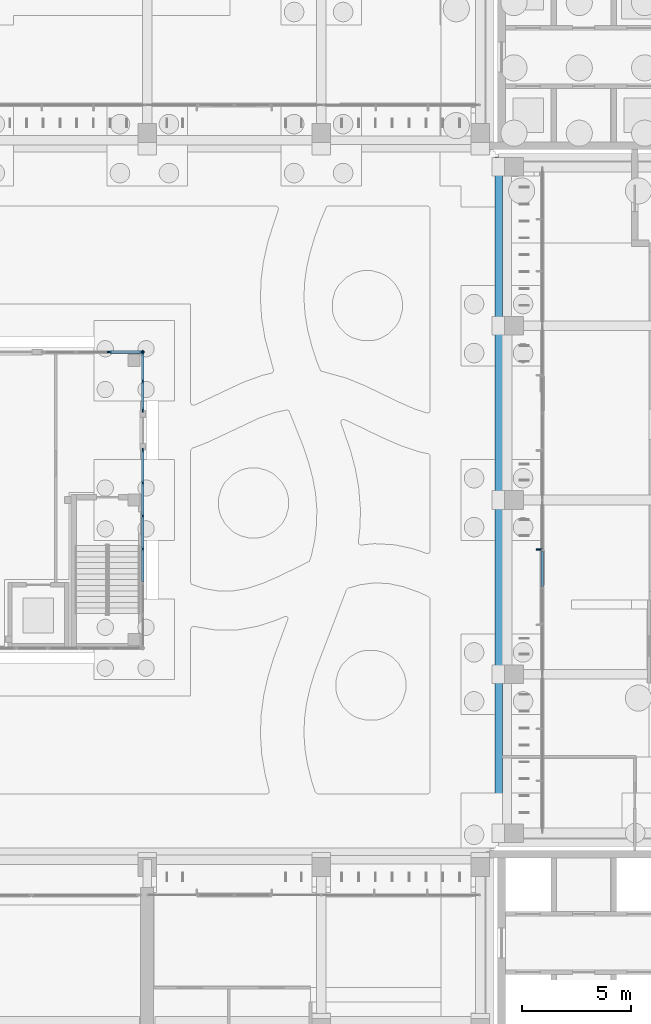
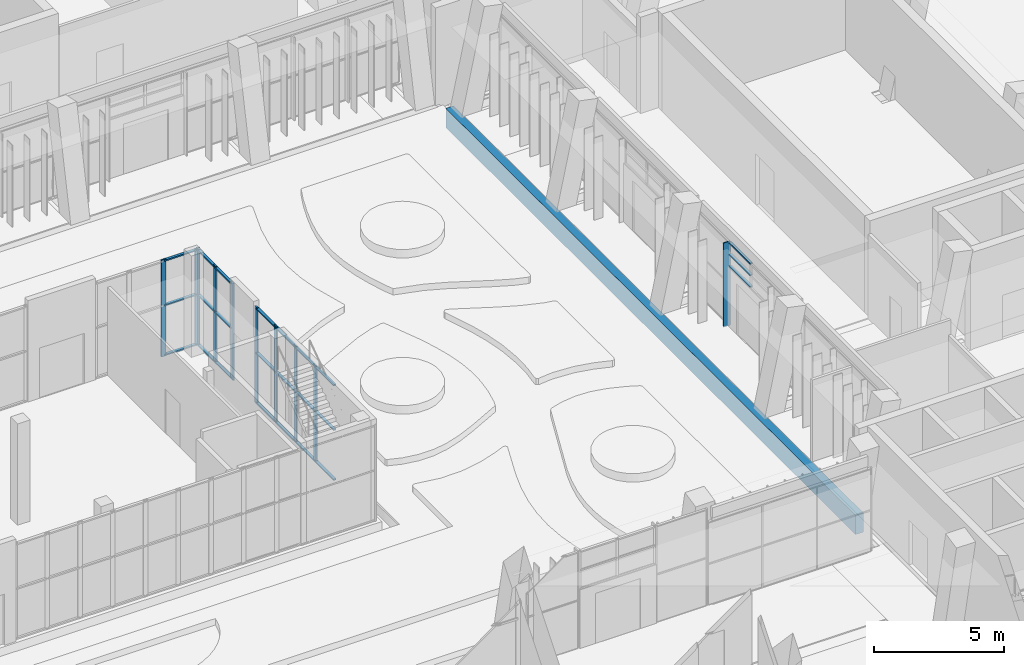
# One storey, part 73 of 144: 34 members, 1 beam, 5 elements without a shape of their own.
"""IFC4 building model written with IfcOpenShell, lengths in metres."""

from ifc_helpers import new_model, si_unit, direction, frame, origin, origin_2d, place, context, subcontext, project, spatial, rectangle, extrude, material, layer, layer_set, material_profile, profile_set, type_object, element, aggregate, save


model = new_model("IFC4")

# Units and contexts
model_context = context("Model", 3, precision=1e-05, world=origin(), true_north=direction((0.0, 1.0)))
body_context = subcontext(model_context, "Body", "Model", "MODEL_VIEW")
ifc_project = project(units=[si_unit("LENGTHUNIT", "METRE"), si_unit("AREAUNIT", "SQUARE_METRE"), si_unit("VOLUMEUNIT", "CUBIC_METRE"), si_unit("PLANEANGLEUNIT", "RADIAN"), si_unit("MASSUNIT", "GRAM", prefix="KILO")], contexts=[model_context])

# Site, building, storey
site_placement = place(None, origin())
site = spatial("IfcSite", under=ifc_project, at=site_placement, CompositionType="ELEMENT")
building_placement = place(site_placement, origin())
building = spatial("IfcBuilding", under=site, at=building_placement, Name="Lantern Court Media Centre", CompositionType="ELEMENT")
storey_placement = place(building_placement, origin())
storey = spatial("IfcBuildingStorey", under=building, at=storey_placement, Name="L00", CompositionType="ELEMENT", Elevation=0.0)

# Curtain wall, member
ifc_material_1 = material(Name="Curtain wall bay 2400")
curtain_wall_type_1 = type_object("IfcCurtainWallType", Name="Curtain wall bay 2400", PredefinedType="NOTDEFINED", material=ifc_material_1)
curtain_wall_1_placement = place(storey_placement, origin())
curtain_wall_1 = element("IfcCurtainWall", 1, at=curtain_wall_1_placement, inside=storey, type_object=curtain_wall_type_1, Name="Curtain wall E inner L00", PredefinedType="NOTDEFINED")
ifc_material_2 = material(Name="Anodised aluminium", Category="aluminium")
ifc_material_profile_1 = material_profile(ifc_material_2, rectangle(XDim=0.300048828125, YDim=0.050048828125, at=origin_2d()), Name="AL 50x300")
ifc_profile_set_1 = profile_set([ifc_material_profile_1], Name="Anodised aluminium")
member_type_1 = type_object("IfcMemberType", Name="Curtain wall mullion 50x300", PredefinedType="MULLION", material=ifc_profile_set_1)
member_1_placement = place(storey_placement, frame((82.030029296875, 77.72509765625, 0.0), z_axis=(0.0, 0.0, 1.0), x_axis=(-1.0, 0.0, 0.0)))
member_1 = element("IfcMember", 2, at=member_1_placement, type_object=member_type_1, Name="CW2 mullion 1", PredefinedType="MULLION", context=body_context, shape_type="SweptSolid", body=[
    extrude(rectangle(XDim=0.300048828125, YDim=0.050048828125, at=origin_2d()), origin(), (0.0, 0.0, 1.0), 3.949951171875),
])
aggregate(curtain_wall_1, [member_1])

# Curtain wall, members
ifc_material_3 = material(Name="Curtain wall bay 1700")
curtain_wall_type_2 = type_object("IfcCurtainWallType", Name="Curtain wall bay 1700", PredefinedType="NOTDEFINED", material=ifc_material_3)
curtain_wall_2_placement = place(storey_placement, origin())
curtain_wall_2 = element("IfcCurtainWall", 3, at=curtain_wall_2_placement, inside=storey, type_object=curtain_wall_type_2, Name="Curtain wall E inner L00", PredefinedType="NOTDEFINED")
ifc_material_profile_2 = material_profile(ifc_material_2, rectangle(XDim=0.1201171875, YDim=0.06005859375, at=origin_2d()), Name="AL 60x120")
ifc_profile_set_2 = profile_set([ifc_material_profile_2], Name="Anodised aluminium")
member_type_2 = type_object("IfcMemberType", Name="Curtain wall transom 60x120", PredefinedType="USERDEFINED", material=ifc_profile_set_2)
member_2_placement = place(storey_placement, frame((82.14990234375, 76.030029296875, 2.830078125), z_axis=(0.0, 1.0, 0.0), x_axis=(-1.0, 0.0, 0.0)))
member_2 = element("IfcMember", 4, at=member_2_placement, type_object=member_type_2, Name="CW4 transom 2.1", ObjectType="TRANSOM", PredefinedType="USERDEFINED", context=body_context, shape_type="SweptSolid", body=[
    extrude(rectangle(XDim=0.1201171875, YDim=0.06005859375, at=origin_2d()), origin(), (0.0, 0.0, 1.0), 1.60986328125),
])
member_3_placement = place(storey_placement, frame((82.14990234375, 76.030029296875, 3.375), z_axis=(0.0, 1.0, 0.0), x_axis=(-1.0, 0.0, 0.0)))
member_3 = element("IfcMember", 5, at=member_3_placement, type_object=member_type_2, Name="CW4 transom 2.2", ObjectType="TRANSOM", PredefinedType="USERDEFINED", context=body_context, shape_type="SweptSolid", body=[
    extrude(rectangle(XDim=0.1201171875, YDim=0.06005859375, at=origin_2d()), origin(), (0.0, 0.0, 1.0), 1.60986328125),
])
member_4_placement = place(storey_placement, frame((82.14990234375, 76.030029296875, 3.919921875), z_axis=(0.0, 1.0, 0.0), x_axis=(-1.0, 0.0, 0.0)))
member_4 = element("IfcMember", 6, at=member_4_placement, type_object=member_type_2, Name="CW4 transom 2.3", ObjectType="TRANSOM", PredefinedType="USERDEFINED", context=body_context, shape_type="SweptSolid", body=[
    extrude(rectangle(XDim=0.1201171875, YDim=0.06005859375, at=origin_2d()), origin(), (0.0, 0.0, 1.0), 1.60986328125),
])
aggregate(curtain_wall_2, [member_2, member_3, member_4])

ifc_material_4 = material(Name="Aluminium and glass", Category="aluminium")
ifc_layer = layer(ifc_material_4, 0.14990234375)
ifc_layer_set = layer_set([ifc_layer], Name="Aluminium and glass")
curtain_wall_type_3 = type_object("IfcCurtainWallType", Name="Hall lancet glazing", PredefinedType="NOTDEFINED", material=ifc_layer_set)
curtain_wall_3_placement = place(storey_placement, origin())
curtain_wall_3 = element("IfcCurtainWall", 7, at=curtain_wall_3_placement, inside=storey, type_object=curtain_wall_type_3, Name="Press box glazing N 2", PredefinedType="NOTDEFINED")
ifc_material_5 = material(Name="Aluminium, anodised", Category="aluminium")
ifc_material_profile_3 = material_profile(ifc_material_5, rectangle(XDim=0.06005859375, YDim=0.199951171875, at=origin_2d()), Name="HM")
ifc_profile_set_3 = profile_set([ifc_material_profile_3], Name="Aluminium, anodised")
member_type_3 = type_object("IfcMemberType", Name="HM", PredefinedType="MULLION", material=ifc_profile_set_3)
member_5_placement = place(storey_placement, frame((62.2666015625, 86.800048828125, 0.0), z_axis=(0.0, 0.0, 1.0), x_axis=(0.0, 1.0, 0.0)))
member_5 = element("IfcMember", 8, at=member_5_placement, type_object=member_type_3, Name="HCW-PN2 mullion 3", PredefinedType="MULLION", context=body_context, shape_type="SweptSolid", body=[
    extrude(rectangle(XDim=0.06005859375, YDim=0.199951171875, at=origin_2d()), origin(), (0.0, 0.0, 1.0), 4.550048828125),
])
member_6_placement = place(storey_placement, frame((63.77001953125, 86.800048828125, 0.0), z_axis=(0.0, 0.0, 1.0), x_axis=(0.0, 1.0, 0.0)))
member_6 = element("IfcMember", 9, at=member_6_placement, type_object=member_type_3, Name="HCW-PN2 mullion 4", PredefinedType="MULLION", context=body_context, shape_type="SweptSolid", body=[
    extrude(rectangle(XDim=0.06005859375, YDim=0.199951171875, at=origin_2d()), origin(), (0.0, 0.0, 1.0), 4.550048828125),
])

curtain_wall_4_placement = place(storey_placement, origin())
curtain_wall_4 = element("IfcCurtainWall", 10, at=curtain_wall_4_placement, inside=storey, type_object=curtain_wall_type_3, Name="Press box glazing E 1", PredefinedType="NOTDEFINED")
member_7_placement = place(storey_placement, frame((63.800048828125, 77.75, 0.0), z_axis=(0.0, 0.0, 1.0), x_axis=(-1.0, 0.0, 0.0)))
member_7 = element("IfcMember", 11, at=member_7_placement, type_object=member_type_3, Name="HCW-PE1 mullion 4", PredefinedType="MULLION", context=body_context, shape_type="SweptSolid", body=[
    extrude(rectangle(XDim=0.06005859375, YDim=0.199951171875, at=origin_2d()), origin(), (0.0, 0.0, 1.0), 4.550048828125),
])
member_8_placement = place(storey_placement, frame((63.800048828125, 79.2666015625, 0.0), z_axis=(0.0, 0.0, 1.0), x_axis=(-1.0, 0.0, 0.0)))
member_8 = element("IfcMember", 12, at=member_8_placement, type_object=member_type_3, Name="HCW-PE1 mullion 5", PredefinedType="MULLION", context=body_context, shape_type="SweptSolid", body=[
    extrude(rectangle(XDim=0.06005859375, YDim=0.199951171875, at=origin_2d()), origin(), (0.0, 0.0, 1.0), 4.550048828125),
])
member_9_placement = place(storey_placement, frame((63.800048828125, 80.783447265625, 0.0), z_axis=(0.0, 0.0, 1.0), x_axis=(-1.0, 0.0, 0.0)))
member_9 = element("IfcMember", 13, at=member_9_placement, type_object=member_type_3, Name="HCW-PE1 mullion 6", PredefinedType="MULLION", context=body_context, shape_type="SweptSolid", body=[
    extrude(rectangle(XDim=0.06005859375, YDim=0.199951171875, at=origin_2d()), origin(), (0.0, 0.0, 1.0), 4.550048828125),
])
member_10_placement = place(storey_placement, frame((63.800048828125, 82.27001953125, 0.0), z_axis=(0.0, 0.0, 1.0), x_axis=(-1.0, 0.0, 0.0)))
member_10 = element("IfcMember", 14, at=member_10_placement, type_object=member_type_3, Name="HCW-PE1 mullion 7", PredefinedType="MULLION", context=body_context, shape_type="SweptSolid", body=[
    extrude(rectangle(XDim=0.06005859375, YDim=0.199951171875, at=origin_2d()), origin(), (0.0, 0.0, 1.0), 4.550048828125),
])

curtain_wall_5_placement = place(storey_placement, origin())
curtain_wall_5 = element("IfcCurtainWall", 15, at=curtain_wall_5_placement, inside=storey, type_object=curtain_wall_type_3, Name="Press box glazing E 2", PredefinedType="NOTDEFINED")
member_11_placement = place(storey_placement, frame((63.800048828125, 84.1298828125, 0.0), z_axis=(0.0, 0.0, 1.0), x_axis=(-1.0, 0.0, 0.0)))
member_11 = element("IfcMember", 16, at=member_11_placement, type_object=member_type_3, Name="HCW-PE2 mullion 1", PredefinedType="MULLION", context=body_context, shape_type="SweptSolid", body=[
    extrude(rectangle(XDim=0.06005859375, YDim=0.199951171875, at=origin_2d()), origin(), (0.0, 0.0, 1.0), 4.550048828125),
])
member_12_placement = place(storey_placement, frame((63.800048828125, 85.449951171875, 0.0), z_axis=(0.0, 0.0, 1.0), x_axis=(-1.0, 0.0, 0.0)))
member_12 = element("IfcMember", 17, at=member_12_placement, type_object=member_type_3, Name="HCW-PE2 mullion 2", PredefinedType="MULLION", context=body_context, shape_type="SweptSolid", body=[
    extrude(rectangle(XDim=0.06005859375, YDim=0.199951171875, at=origin_2d()), origin(), (0.0, 0.0, 1.0), 4.550048828125),
])
member_13_placement = place(storey_placement, frame((63.800048828125, 86.77001953125, 0.0), z_axis=(0.0, 0.0, 1.0), x_axis=(-1.0, 0.0, 0.0)))
member_13 = element("IfcMember", 18, at=member_13_placement, type_object=member_type_3, Name="HCW-PE2 mullion 3", PredefinedType="MULLION", context=body_context, shape_type="SweptSolid", body=[
    extrude(rectangle(XDim=0.06005859375, YDim=0.199951171875, at=origin_2d()), origin(), (0.0, 0.0, 1.0), 4.550048828125),
])

# Member
ifc_material_profile_4 = material_profile(ifc_material_5, rectangle(XDim=0.1201171875, YDim=0.06005859375, at=origin_2d()), Name="HT")
ifc_profile_set_4 = profile_set([ifc_material_profile_4], Name="Aluminium, anodised")
member_type_4 = type_object("IfcMemberType", Name="HT", PredefinedType="USERDEFINED", material=ifc_profile_set_4)
member_14_placement = place(storey_placement, frame((62.296630859375, 86.800048828125, 0.06005859375), z_axis=(1.0, 0.0, 0.0), x_axis=(0.0, 1.0, 0.0)))
member_14 = element("IfcMember", 19, at=member_14_placement, type_object=member_type_4, Name="HCW-PN2 transom 3.1", ObjectType="TRANSOM", PredefinedType="USERDEFINED", context=body_context, shape_type="SweptSolid", body=[
    extrude(rectangle(XDim=0.1201171875, YDim=0.06005859375, at=origin_2d()), origin(), (0.0, 0.0, 1.0), 1.443359375),
])

member_15_placement = place(storey_placement, frame((62.296630859375, 86.800048828125, 2.39990234375), z_axis=(1.0, 0.0, 0.0), x_axis=(0.0, 1.0, 0.0)))
member_15 = element("IfcMember", 20, at=member_15_placement, type_object=member_type_4, Name="HCW-PN2 transom 3.2", ObjectType="TRANSOM", PredefinedType="USERDEFINED", context=body_context, shape_type="SweptSolid", body=[
    extrude(rectangle(XDim=0.1201171875, YDim=0.06005859375, at=origin_2d()), origin(), (0.0, 0.0, 1.0), 1.443359375),
])

member_16_placement = place(storey_placement, frame((62.296630859375, 86.800048828125, 4.489990234375), z_axis=(1.0, 0.0, 0.0), x_axis=(0.0, 1.0, 0.0)))
member_16 = element("IfcMember", 21, at=member_16_placement, type_object=member_type_4, Name="HCW-PN2 transom 3.3", ObjectType="TRANSOM", PredefinedType="USERDEFINED", context=body_context, shape_type="SweptSolid", body=[
    extrude(rectangle(XDim=0.1201171875, YDim=0.06005859375, at=origin_2d()), origin(), (0.0, 0.0, 1.0), 1.443359375),
])

aggregate(curtain_wall_3, [member_5, member_6, member_14, member_15, member_16])

member_17_placement = place(storey_placement, frame((63.800048828125, 76.263427734375, 0.06005859375), z_axis=(0.0, 1.0, 0.0), x_axis=(-1.0, 0.0, 0.0)))
member_17 = element("IfcMember", 22, at=member_17_placement, type_object=member_type_4, Name="HCW-PE1 transom 3.1", ObjectType="TRANSOM", PredefinedType="USERDEFINED", context=body_context, shape_type="SweptSolid", body=[
    extrude(rectangle(XDim=0.1201171875, YDim=0.06005859375, at=origin_2d()), origin(), (0.0, 0.0, 1.0), 1.45654296875),
])

member_18_placement = place(storey_placement, frame((63.800048828125, 76.263427734375, 2.39990234375), z_axis=(0.0, 1.0, 0.0), x_axis=(-1.0, 0.0, 0.0)))
member_18 = element("IfcMember", 23, at=member_18_placement, type_object=member_type_4, Name="HCW-PE1 transom 3.2", ObjectType="TRANSOM", PredefinedType="USERDEFINED", context=body_context, shape_type="SweptSolid", body=[
    extrude(rectangle(XDim=0.1201171875, YDim=0.06005859375, at=origin_2d()), origin(), (0.0, 0.0, 1.0), 1.45654296875),
])

member_19_placement = place(storey_placement, frame((63.800048828125, 76.263427734375, 4.489990234375), z_axis=(0.0, 1.0, 0.0), x_axis=(-1.0, 0.0, 0.0)))
member_19 = element("IfcMember", 24, at=member_19_placement, type_object=member_type_4, Name="HCW-PE1 transom 3.3", ObjectType="TRANSOM", PredefinedType="USERDEFINED", context=body_context, shape_type="SweptSolid", body=[
    extrude(rectangle(XDim=0.1201171875, YDim=0.06005859375, at=origin_2d()), origin(), (0.0, 0.0, 1.0), 1.45654296875),
])

member_20_placement = place(storey_placement, frame((63.800048828125, 77.780029296875, 0.06005859375), z_axis=(0.0, 1.0, 0.0), x_axis=(-1.0, 0.0, 0.0)))
member_20 = element("IfcMember", 25, at=member_20_placement, type_object=member_type_4, Name="HCW-PE1 transom 4.1", ObjectType="TRANSOM", PredefinedType="USERDEFINED", context=body_context, shape_type="SweptSolid", body=[
    extrude(rectangle(XDim=0.1201171875, YDim=0.06005859375, at=origin_2d()), origin(), (0.0, 0.0, 1.0), 1.45654296875),
])

member_21_placement = place(storey_placement, frame((63.800048828125, 77.780029296875, 2.39990234375), z_axis=(0.0, 1.0, 0.0), x_axis=(-1.0, 0.0, 0.0)))
member_21 = element("IfcMember", 26, at=member_21_placement, type_object=member_type_4, Name="HCW-PE1 transom 4.2", ObjectType="TRANSOM", PredefinedType="USERDEFINED", context=body_context, shape_type="SweptSolid", body=[
    extrude(rectangle(XDim=0.1201171875, YDim=0.06005859375, at=origin_2d()), origin(), (0.0, 0.0, 1.0), 1.45654296875),
])

member_22_placement = place(storey_placement, frame((63.800048828125, 77.780029296875, 4.489990234375), z_axis=(0.0, 1.0, 0.0), x_axis=(-1.0, 0.0, 0.0)))
member_22 = element("IfcMember", 27, at=member_22_placement, type_object=member_type_4, Name="HCW-PE1 transom 4.3", ObjectType="TRANSOM", PredefinedType="USERDEFINED", context=body_context, shape_type="SweptSolid", body=[
    extrude(rectangle(XDim=0.1201171875, YDim=0.06005859375, at=origin_2d()), origin(), (0.0, 0.0, 1.0), 1.45654296875),
])

member_23_placement = place(storey_placement, frame((63.800048828125, 79.296630859375, 0.06005859375), z_axis=(0.0, 1.0, 0.0), x_axis=(-1.0, 0.0, 0.0)))
member_23 = element("IfcMember", 28, at=member_23_placement, type_object=member_type_4, Name="HCW-PE1 transom 5.1", ObjectType="TRANSOM", PredefinedType="USERDEFINED", context=body_context, shape_type="SweptSolid", body=[
    extrude(rectangle(XDim=0.1201171875, YDim=0.06005859375, at=origin_2d()), origin(), (0.0, 0.0, 1.0), 1.456787109375),
])

member_24_placement = place(storey_placement, frame((63.800048828125, 79.296630859375, 2.39990234375), z_axis=(0.0, 1.0, 0.0), x_axis=(-1.0, 0.0, 0.0)))
member_24 = element("IfcMember", 29, at=member_24_placement, type_object=member_type_4, Name="HCW-PE1 transom 5.2", ObjectType="TRANSOM", PredefinedType="USERDEFINED", context=body_context, shape_type="SweptSolid", body=[
    extrude(rectangle(XDim=0.1201171875, YDim=0.06005859375, at=origin_2d()), origin(), (0.0, 0.0, 1.0), 1.456787109375),
])

member_25_placement = place(storey_placement, frame((63.800048828125, 79.296630859375, 4.489990234375), z_axis=(0.0, 1.0, 0.0), x_axis=(-1.0, 0.0, 0.0)))
member_25 = element("IfcMember", 30, at=member_25_placement, type_object=member_type_4, Name="HCW-PE1 transom 5.3", ObjectType="TRANSOM", PredefinedType="USERDEFINED", context=body_context, shape_type="SweptSolid", body=[
    extrude(rectangle(XDim=0.1201171875, YDim=0.06005859375, at=origin_2d()), origin(), (0.0, 0.0, 1.0), 1.456787109375),
])

member_26_placement = place(storey_placement, frame((63.800048828125, 80.813232421875, 0.06005859375), z_axis=(0.0, 1.0, 0.0), x_axis=(-1.0, 0.0, 0.0)))
member_26 = element("IfcMember", 31, at=member_26_placement, type_object=member_type_4, Name="HCW-PE1 transom 6.1", ObjectType="TRANSOM", PredefinedType="USERDEFINED", context=body_context, shape_type="SweptSolid", body=[
    extrude(rectangle(XDim=0.1201171875, YDim=0.06005859375, at=origin_2d()), origin(), (0.0, 0.0, 1.0), 1.4267578125),
])

member_27_placement = place(storey_placement, frame((63.800048828125, 80.813232421875, 2.39990234375), z_axis=(0.0, 1.0, 0.0), x_axis=(-1.0, 0.0, 0.0)))
member_27 = element("IfcMember", 32, at=member_27_placement, type_object=member_type_4, Name="HCW-PE1 transom 6.2", ObjectType="TRANSOM", PredefinedType="USERDEFINED", context=body_context, shape_type="SweptSolid", body=[
    extrude(rectangle(XDim=0.1201171875, YDim=0.06005859375, at=origin_2d()), origin(), (0.0, 0.0, 1.0), 1.4267578125),
])

member_28_placement = place(storey_placement, frame((63.800048828125, 80.813232421875, 4.489990234375), z_axis=(0.0, 1.0, 0.0), x_axis=(-1.0, 0.0, 0.0)))
member_28 = element("IfcMember", 33, at=member_28_placement, type_object=member_type_4, Name="HCW-PE1 transom 6.3", ObjectType="TRANSOM", PredefinedType="USERDEFINED", context=body_context, shape_type="SweptSolid", body=[
    extrude(rectangle(XDim=0.1201171875, YDim=0.06005859375, at=origin_2d()), origin(), (0.0, 0.0, 1.0), 1.4267578125),
])

aggregate(curtain_wall_4, [member_7, member_8, member_9, member_10, member_17, member_18, member_19, member_20, member_21, member_22, member_23, member_24, member_25, member_26, member_27, member_28])

member_29_placement = place(storey_placement, frame((63.800048828125, 84.159912109375, 0.06005859375), z_axis=(0.0, 1.0, 0.0), x_axis=(-1.0, 0.0, 0.0)))
member_29 = element("IfcMember", 34, at=member_29_placement, type_object=member_type_4, Name="HCW-PE2 transom 1.1", ObjectType="TRANSOM", PredefinedType="USERDEFINED", context=body_context, shape_type="SweptSolid", body=[
    extrude(rectangle(XDim=0.1201171875, YDim=0.06005859375, at=origin_2d()), origin(), (0.0, 0.0, 1.0), 1.260009765625),
])

member_30_placement = place(storey_placement, frame((63.800048828125, 84.159912109375, 2.39990234375), z_axis=(0.0, 1.0, 0.0), x_axis=(-1.0, 0.0, 0.0)))
member_30 = element("IfcMember", 35, at=member_30_placement, type_object=member_type_4, Name="HCW-PE2 transom 1.2", ObjectType="TRANSOM", PredefinedType="USERDEFINED", context=body_context, shape_type="SweptSolid", body=[
    extrude(rectangle(XDim=0.1201171875, YDim=0.06005859375, at=origin_2d()), origin(), (0.0, 0.0, 1.0), 1.260009765625),
])

member_31_placement = place(storey_placement, frame((63.800048828125, 84.159912109375, 4.489990234375), z_axis=(0.0, 1.0, 0.0), x_axis=(-1.0, 0.0, 0.0)))
member_31 = element("IfcMember", 36, at=member_31_placement, type_object=member_type_4, Name="HCW-PE2 transom 1.3", ObjectType="TRANSOM", PredefinedType="USERDEFINED", context=body_context, shape_type="SweptSolid", body=[
    extrude(rectangle(XDim=0.1201171875, YDim=0.06005859375, at=origin_2d()), origin(), (0.0, 0.0, 1.0), 1.260009765625),
])

member_32_placement = place(storey_placement, frame((63.800048828125, 85.47998046875, 0.06005859375), z_axis=(0.0, 1.0, 0.0), x_axis=(-1.0, 0.0, 0.0)))
member_32 = element("IfcMember", 37, at=member_32_placement, type_object=member_type_4, Name="HCW-PE2 transom 2.1", ObjectType="TRANSOM", PredefinedType="USERDEFINED", context=body_context, shape_type="SweptSolid", body=[
    extrude(rectangle(XDim=0.1201171875, YDim=0.06005859375, at=origin_2d()), origin(), (0.0, 0.0, 1.0), 1.260009765625),
])

member_33_placement = place(storey_placement, frame((63.800048828125, 85.47998046875, 2.39990234375), z_axis=(0.0, 1.0, 0.0), x_axis=(-1.0, 0.0, 0.0)))
member_33 = element("IfcMember", 38, at=member_33_placement, type_object=member_type_4, Name="HCW-PE2 transom 2.2", ObjectType="TRANSOM", PredefinedType="USERDEFINED", context=body_context, shape_type="SweptSolid", body=[
    extrude(rectangle(XDim=0.1201171875, YDim=0.06005859375, at=origin_2d()), origin(), (0.0, 0.0, 1.0), 1.260009765625),
])

member_34_placement = place(storey_placement, frame((63.800048828125, 85.47998046875, 4.489990234375), z_axis=(0.0, 1.0, 0.0), x_axis=(-1.0, 0.0, 0.0)))
member_34 = element("IfcMember", 39, at=member_34_placement, type_object=member_type_4, Name="HCW-PE2 transom 2.3", ObjectType="TRANSOM", PredefinedType="USERDEFINED", context=body_context, shape_type="SweptSolid", body=[
    extrude(rectangle(XDim=0.1201171875, YDim=0.06005859375, at=origin_2d()), origin(), (0.0, 0.0, 1.0), 1.260009765625),
])

aggregate(curtain_wall_5, [member_11, member_12, member_13, member_29, member_30, member_31, member_32, member_33, member_34])

# Beam
ifc_material_6 = material(Name="Concrete C35", Category="concrete")
ifc_material_profile_5 = material_profile(ifc_material_6, rectangle(XDim=0.35009765625, YDim=0.89990234375, at=origin_2d()), Name="RC 350x900")
ifc_profile_set_5 = profile_set([ifc_material_profile_5], Name="Concrete C35")
beam_type = type_object("IfcBeamType", Name="RC BEAM 350x900", PredefinedType="BEAM", material=ifc_profile_set_5)
beam_placement = place(storey_placement, frame((80.14990234375, 64.25, -0.449951171875), z_axis=(0.0, 1.0, 0.0), x_axis=(-1.0, 0.0, 0.0)))
element("IfcBeam", 40, at=beam_placement, inside=storey, type_object=beam_type, Name="EB-E-L00-A", PredefinedType="BEAM", context=body_context, shape_type="SweptSolid", body=[
    extrude(rectangle(XDim=0.35009765625, YDim=0.89990234375, at=origin_2d()), origin(), (0.0, 0.0, 1.0), 31.5),
])

save(model, "model.ifc")
